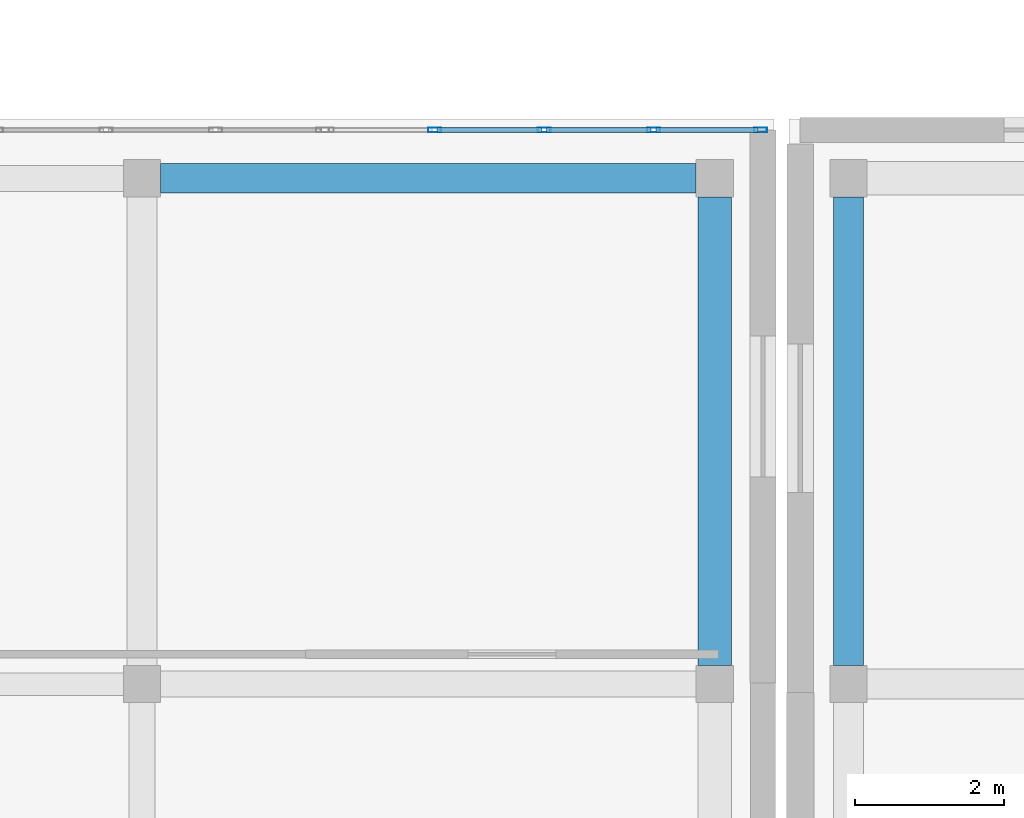
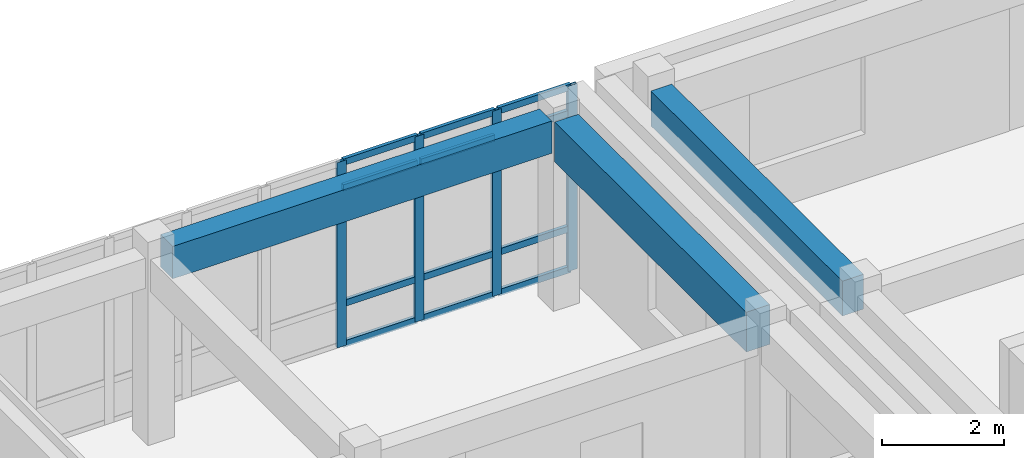
# One storey, part 30 of 91: 16 members, 3 beams, 1 element without a shape of its own.
"""IFC4 building model written with IfcOpenShell, lengths in metres."""

import ifcopenshell
import ifcopenshell.guid

model = None  # the IFC model being written
_history = None  # IfcOwnerHistory: only IFC2X3 demands one
_inside = {}  # id of a spatial element -> (the spatial element, [elements in it])
_under = {}  # id of a project, library or spatial element -> (it, [spatial elements below it])
_declared = {}  # id of a project -> (the project, [libraries it declares])
_typed = {}  # id of a type object -> (the type object, [elements of that type])
_made_of = {}  # id of a material, layer set ... -> (it, [elements and type objects made of it])


def new_model(schema):
    """Start an empty IFC model of exactly this schema.

    Asked for "IFC4X3", IfcOpenShell would pick the latest addendum, in which some entities
    have other attributes; the version numbers below select the first issue.
    IFC2X3 requires an IfcOwnerHistory on every rooted entity: one is made here for all.
    """
    global model, _history
    if schema == "IFC4X3":
        model = ifcopenshell.file(schema_version=(4, 3, 0, 0))
    else:
        model = ifcopenshell.file(schema=schema)
    _inside.clear()
    _under.clear()
    _declared.clear()
    _typed.clear()
    _made_of.clear()
    _history = None
    if model.schema == "IFC2X3":
        org = make("IfcOrganization", Name="unknown")
        user = make(
            "IfcPersonAndOrganization",
            ThePerson=make("IfcPerson", FamilyName="unknown"),
            TheOrganization=org,
        )
        app = make(
            "IfcApplication",
            ApplicationDeveloper=org,
            Version="unknown",
            ApplicationFullName="unknown",
            ApplicationIdentifier="unknown",
        )
        _history = make(
            "IfcOwnerHistory",
            OwningUser=user,
            OwningApplication=app,
            ChangeAction="ADDED",
            CreationDate=0,
        )
    return model


def make(cls, **values):
    """One entity of the class cls with the attributes given. An attribute that is None is left unset."""
    return model.create_entity(
        cls, **{name: value for name, value in values.items() if value is not None}
    )


def rooted(cls, **values):
    """An entity with a GlobalId (a new one), such as an element, a storey or a relation."""
    return make(cls, GlobalId=ifcopenshell.guid.new(), OwnerHistory=_history, **values)


def si_unit(unit_type, name, prefix=None):
    """IfcSIUnit, for example si_unit("LENGTHUNIT", "METRE", prefix="MILLI")."""
    return make("IfcSIUnit", UnitType=unit_type, Prefix=prefix, Name=name)


def assignment(units):
    """IfcUnitAssignment: the units of a project."""
    return None if units is None else make("IfcUnitAssignment", Units=units)


def point(xyz):
    """IfcCartesianPoint."""
    return None if xyz is None else make("IfcCartesianPoint", Coordinates=xyz)


def direction(xyz):
    """IfcDirection."""
    return None if xyz is None else make("IfcDirection", DirectionRatios=xyz)


def frame(location, z_axis=None, x_axis=None):
    """IfcAxis2Placement3D, a coordinate frame: its origin and axes. An axis left out is left unset."""
    return make(
        "IfcAxis2Placement3D",
        Location=point(location),
        Axis=direction(z_axis),
        RefDirection=direction(x_axis),
    )


def frame_2d(location, x_axis=None):
    """IfcAxis2Placement2D, a coordinate frame in the plane: its origin and x axis."""
    return make(
        "IfcAxis2Placement2D", Location=point(location), RefDirection=direction(x_axis)
    )


def origin():
    """The frame at (0, 0, 0) with its axes left unset."""
    return frame((0.0, 0.0, 0.0))


def origin_2d():
    """The frame at (0, 0) in the plane with its x axis left unset."""
    return frame_2d((0.0, 0.0))


def place(relative_to, where):
    """IfcLocalPlacement: puts the frame where relative to a parent placement (None: the world)."""
    return make(
        "IfcLocalPlacement", PlacementRelTo=relative_to, RelativePlacement=where
    )


def context(
    kind, dimensions, precision=None, world=None, true_north=None, identifier=None
):
    """IfcGeometricRepresentationContext, for example the 3D "Model" context."""
    return make(
        "IfcGeometricRepresentationContext",
        ContextIdentifier=identifier,
        ContextType=kind,
        CoordinateSpaceDimension=dimensions,
        Precision=precision,
        WorldCoordinateSystem=world,
        TrueNorth=true_north,
    )


def subcontext(parent, identifier, kind, view, scale=None):
    """IfcGeometricRepresentationSubContext, for example "Body" below "Model"."""
    return make(
        "IfcGeometricRepresentationSubContext",
        ContextIdentifier=identifier,
        ContextType=kind,
        ParentContext=parent,
        TargetScale=scale,
        TargetView=view,
    )


def project(units=None, contexts=None):
    """IfcProject with its units and contexts."""
    return rooted(
        "IfcProject",
        Name="project",
        RepresentationContexts=contexts,
        UnitsInContext=assignment(units),
    )


def spatial(cls, under=None, at=None, **own):
    """A site, building, storey or space (cls), placed at a placement, below another one or the project."""
    s = rooted(cls, ObjectPlacement=at, **own)
    if under is not None:
        _under.setdefault(under.id(), (under, []))[1].append(s)
    return s


def profile(cls, at=None, kind="AREA", **sizes):
    """A parametric profile (cls). Its sizes go by their IFC names, for example OverallWidth=200.0."""
    return make(cls, ProfileType=kind, Position=at, **sizes)


def rectangle(**sizes):
    """IfcRectangleProfileDef."""
    return profile("IfcRectangleProfileDef", **sizes)


def hollow_rectangle(**sizes):
    """IfcRectangleHollowProfileDef."""
    return profile("IfcRectangleHollowProfileDef", **sizes)


def extrude(swept, where, along, depth):
    """IfcExtrudedAreaSolid: the profile swept, set in the frame where, extruded along a direction by depth."""
    return make(
        "IfcExtrudedAreaSolid",
        SweptArea=swept,
        Position=where,
        ExtrudedDirection=direction(along),
        Depth=depth,
    )


def shape(context_of_items, identifier, shape_type, items):
    """IfcShapeRepresentation: the items that make up one representation, for example the "Body"."""
    return make(
        "IfcShapeRepresentation",
        ContextOfItems=context_of_items,
        RepresentationIdentifier=identifier,
        RepresentationType=shape_type,
        Items=items,
    )


def material(Name=None, Category=None):
    """IfcMaterial."""
    return make("IfcMaterial", Name=Name, Category=Category)


def layer(
    of_material, thickness, ventilated=None, Name=None, Category=None, Priority=None
):
    """IfcMaterialLayer: one layer of a wall or slab, of a material (None: an air gap)."""
    return make(
        "IfcMaterialLayer",
        Material=of_material,
        LayerThickness=thickness,
        IsVentilated=ventilated,
        Name=Name,
        Category=Category,
        Priority=Priority,
    )


def layer_set(layers, Name=None):
    """IfcMaterialLayerSet."""
    return make("IfcMaterialLayerSet", MaterialLayers=layers, LayerSetName=Name)


def material_profile(
    of_material, cross_section, Name=None, Category=None, Priority=None
):
    """IfcMaterialProfile: a cross section and its material."""
    return make(
        "IfcMaterialProfile",
        Name=Name,
        Material=of_material,
        Profile=cross_section,
        Priority=Priority,
        Category=Category,
    )


def profile_set(profiles, Name=None, composite=None):
    """IfcMaterialProfileSet."""
    return make(
        "IfcMaterialProfileSet",
        Name=Name,
        MaterialProfiles=profiles,
        CompositeProfile=composite,
    )


def made_of(thing, what):
    """Note that an element or type object is made of a material, layer set ...; save() writes the relation."""
    if what is not None:
        _made_of.setdefault(what.id(), (what, []))[1].append(thing)
    return thing


def type_object(cls, material=None, **own):
    """A type object (cls), such as IfcWallType, which elements share."""
    return made_of(rooted(cls, **own), material)


def element(
    cls,
    number,
    at=None,
    inside=None,
    cuts=None,
    type_object=None,
    material=None,
    context=None,
    identifier="Body",
    shape_type=None,
    held_by="IfcProductDefinitionShape",
    body=None,
    shapes=None,
    **own,
):
    """One element of the class cls, such as IfcWall. Its Tag is "e" and its number.

    at: its placement. inside: the storey or other place that contains it. cuts: it is an
    opening in that element (IfcRelVoidsElement). A single representation is given by context,
    identifier, shape_type and body (its items); several are given by shapes. held_by: the class
    of the entity that holds the representations. save() writes the other relations.
    """
    e = rooted(cls, Tag="e%d" % number, ObjectPlacement=at, **own)
    if body is not None:
        shapes = [shape(context, identifier, shape_type, body)]
    if shapes is not None:
        e.Representation = make(held_by, Representations=shapes)
    if inside is not None:
        _inside.setdefault(inside.id(), (inside, []))[1].append(e)
    if cuts is not None:
        rooted(
            "IfcRelVoidsElement", RelatingBuildingElement=cuts, RelatedOpeningElement=e
        )
    if type_object is not None:
        _typed.setdefault(type_object.id(), (type_object, []))[1].append(e)
    return made_of(e, material)


def aggregate(whole, parts):
    """IfcRelAggregates: a whole, such as a stair, and the parts it consists of."""
    return rooted("IfcRelAggregates", RelatingObject=whole, RelatedObjects=parts)


def save(model, path):
    """Write the relations noted so far, then the file.

    IfcRelAggregates (storeys below a building ...), IfcRelContainedInSpatialStructure (elements
    in a storey), IfcRelDefinesByType, IfcRelAssociatesMaterial and IfcRelDeclares: one each for
    every whole, place, type object, material and project.
    """
    for whole, parts in _under.values():
        aggregate(whole, parts)
    for where, things in _inside.values():
        rooted(
            "IfcRelContainedInSpatialStructure",
            RelatedElements=things,
            RelatingStructure=where,
        )
    for kind, things in _typed.values():
        rooted("IfcRelDefinesByType", RelatedObjects=things, RelatingType=kind)
    for what, things in _made_of.values():
        rooted("IfcRelAssociatesMaterial", RelatedObjects=things, RelatingMaterial=what)
    for by, libraries in _declared.values():
        rooted("IfcRelDeclares", RelatingContext=by, RelatedDefinitions=libraries)
    model.write(path)


model = new_model("IFC4")

# Units and contexts
model_context = context("Model", 3, precision=1e-05, world=origin(), true_north=direction((0.0, 1.0)))
body_context = subcontext(model_context, "Body", "Model", "MODEL_VIEW")
ifc_project = project(units=[si_unit("LENGTHUNIT", "METRE"), si_unit("AREAUNIT", "SQUARE_METRE"), si_unit("VOLUMEUNIT", "CUBIC_METRE"), si_unit("PLANEANGLEUNIT", "RADIAN"), si_unit("MASSUNIT", "GRAM", prefix="KILO")], contexts=[model_context])

# Site, building, storey
site_placement = place(None, origin())
site = spatial("IfcSite", under=ifc_project, at=site_placement, CompositionType="ELEMENT")
building_placement = place(site_placement, origin())
building = spatial("IfcBuilding", under=site, at=building_placement, Name="Valcora Specialist Clinic", CompositionType="ELEMENT")
storey_placement = place(building_placement, frame((0.0, 0.0, 13.60009765625)))
storey = spatial("IfcBuildingStorey", under=building, at=storey_placement, Name="L03", CompositionType="ELEMENT", Elevation=13.60009765625)

# Beams
ifc_material_1 = material(Name="Concrete C40/50", Category="concrete")
ifc_material_profile_1 = material_profile(ifc_material_1, rectangle(XDim=0.39990234375, YDim=0.64990234375, at=origin_2d()), Name="RC-BM-400X650")
ifc_profile_set_1 = profile_set([ifc_material_profile_1], Name="Concrete C40/50")
beam_type_1 = type_object("IfcBeamType", Name="TY-BM-RC400X650", PredefinedType="BEAM", material=ifc_profile_set_1)
beam_1_placement = place(storey_placement, frame((45.050048828125, 22.0, 3.469970703125), z_axis=(1.0, 0.0, 0.0), x_axis=(0.0, 1.0, 0.0)))
element("IfcBeam", 1, at=beam_1_placement, inside=storey, type_object=beam_type_1, Name="Beam BM-L03-1053", PredefinedType="BEAM", context=body_context, shape_type="SweptSolid", body=[
    extrude(rectangle(XDim=0.39990234375, YDim=0.64990234375, at=origin_2d()), origin(), (0.0, 0.0, 1.0), 7.199951171875),
])
ifc_material_profile_2 = material_profile(ifc_material_1, rectangle(XDim=0.39990234375, YDim=0.699951171875, at=origin_2d()), Name="RC-BM-400X700")
ifc_profile_set_2 = profile_set([ifc_material_profile_2], Name="Concrete C40/50")
beam_type_2 = type_object("IfcBeamType", Name="TY-BM-RC400X700", PredefinedType="BEAM", material=ifc_profile_set_2)
beam_2_placement = place(storey_placement, frame((54.300048828125, 15.449951171875, 3.429931640625), z_axis=(0.0, 1.0, 0.0), x_axis=(-1.0, 0.0, 0.0)))
element("IfcBeam", 2, at=beam_2_placement, inside=storey, type_object=beam_type_2, Name="Beam BM-L03-1448", PredefinedType="BEAM", context=body_context, shape_type="SweptSolid", body=[
    extrude(rectangle(XDim=0.39990234375, YDim=0.699951171875, at=origin_2d()), origin(), (0.0, 0.0, 1.0), 6.300048828125),
])
ifc_material_profile_3 = material_profile(ifc_material_1, rectangle(XDim=0.449951171875, YDim=0.800048828125, at=origin_2d()), Name="RC-BM-450X800")
ifc_profile_set_3 = profile_set([ifc_material_profile_3], Name="Concrete C40/50")
beam_type_3 = type_object("IfcBeamType", Name="TY-BM-RC450X800", PredefinedType="BEAM", material=ifc_profile_set_3)
beam_3_placement = place(storey_placement, frame((52.5, 15.449951171875, 3.39501953125), z_axis=(0.0, 1.0, 0.0), x_axis=(-1.0, 0.0, 0.0)))
element("IfcBeam", 3, at=beam_3_placement, inside=storey, type_object=beam_type_3, Name="Beam BM-L03-1072", PredefinedType="BEAM", context=body_context, shape_type="SweptSolid", body=[
    extrude(rectangle(XDim=0.449951171875, YDim=0.800048828125, at=origin_2d()), origin(), (0.0, 0.0, 1.0), 6.300048828125),
])

# Curtain wall, members
ifc_material_2 = material(Name="Anodized Bronze Aluminium 6063-T6", Category="aluminium")
ifc_layer = layer(ifc_material_2, 0.175048828125)
ifc_layer_set = layer_set([ifc_layer], Name="Anodized Bronze Aluminium 6063-T6")
curtain_wall_type = type_object("IfcCurtainWallType", Name="TY-CW-V5F15", PredefinedType="NOTDEFINED", material=ifc_layer_set)
curtain_wall_placement = place(storey_placement, origin())
curtain_wall = element("IfcCurtainWall", 4, at=curtain_wall_placement, inside=storey, type_object=curtain_wall_type, Name="Curtain wall CW-L03-163", PredefinedType="NOTDEFINED")
ifc_material_profile_4 = material_profile(ifc_material_2, hollow_rectangle(XDim=0.06494140625, YDim=0.175048828125, WallThickness=0.00390625, at=origin_2d()), Name="AL-MUL-65X175")
ifc_profile_set_4 = profile_set([ifc_material_profile_4], Name="Anodized Bronze Aluminium 6063-T6")
member_type_1 = type_object("IfcMemberType", Name="TY-CWM-65X175", PredefinedType="MULLION", material=ifc_profile_set_4)
member_1_placement = place(storey_placement, frame((48.7333984375, 22.64990234375, 0.0), z_axis=(0.0, 0.0, 1.0), x_axis=(0.0, 1.0, 0.0)))
member_1 = element("IfcMember", 5, at=member_1_placement, type_object=member_type_1, Name="CW-V5F-15 mullion 2", PredefinedType="MULLION", context=body_context, shape_type="SweptSolid", body=[
    extrude(hollow_rectangle(XDim=0.06494140625, YDim=0.175048828125, WallThickness=0.00390625, at=origin_2d()), origin(), (0.0, 0.0, 1.0), 3.719970703125),
])
member_2_placement = place(storey_placement, frame((50.20556640625, 22.64990234375, 0.0), z_axis=(0.0, 0.0, 1.0), x_axis=(0.0, 1.0, 0.0)))
member_2 = element("IfcMember", 6, at=member_2_placement, type_object=member_type_1, Name="CW-V5F-15 mullion 3", PredefinedType="MULLION", context=body_context, shape_type="SweptSolid", body=[
    extrude(hollow_rectangle(XDim=0.06494140625, YDim=0.175048828125, WallThickness=0.00390625, at=origin_2d()), origin(), (0.0, 0.0, 1.0), 3.719970703125),
])
member_3_placement = place(storey_placement, frame((51.677734375, 22.64990234375, 0.0), z_axis=(0.0, 0.0, 1.0), x_axis=(0.0, 1.0, 0.0)))
member_3 = element("IfcMember", 7, at=member_3_placement, type_object=member_type_1, Name="CW-V5F-15 mullion 4", PredefinedType="MULLION", context=body_context, shape_type="SweptSolid", body=[
    extrude(hollow_rectangle(XDim=0.06494140625, YDim=0.175048828125, WallThickness=0.00390625, at=origin_2d()), origin(), (0.0, 0.0, 1.0), 3.719970703125),
])
member_4_placement = place(storey_placement, frame((53.117431640625, 22.64990234375, 0.0), z_axis=(0.0, 0.0, 1.0), x_axis=(0.0, 1.0, 0.0)))
member_4 = element("IfcMember", 8, at=member_4_placement, type_object=member_type_1, Name="CW-V5F-15 mullion 5", PredefinedType="MULLION", context=body_context, shape_type="SweptSolid", body=[
    extrude(hollow_rectangle(XDim=0.06494140625, YDim=0.175048828125, WallThickness=0.00390625, at=origin_2d()), origin(), (0.0, 0.0, 1.0), 3.719970703125),
])
ifc_material_profile_5 = material_profile(ifc_material_2, hollow_rectangle(XDim=0.06494140625, YDim=0.1298828125, WallThickness=0.00390625, at=origin_2d()), Name="AL-TRN-65X130")
ifc_profile_set_5 = profile_set([ifc_material_profile_5], Name="Anodized Bronze Aluminium 6063-T6")
member_type_2 = type_object("IfcMemberType", Name="TY-CWT-65X130", PredefinedType="USERDEFINED", material=ifc_profile_set_5)
member_5_placement = place(storey_placement, frame((48.765869140625, 22.64990234375, 0.032470703125), z_axis=(1.0, 0.0, 0.0), x_axis=(0.0, 1.0, 0.0)))
member_5 = element("IfcMember", 9, at=member_5_placement, type_object=member_type_2, Name="CW-V5F-15 transom 2.1", ObjectType="TRANSOM", PredefinedType="USERDEFINED", context=body_context, shape_type="SweptSolid", body=[
    extrude(hollow_rectangle(XDim=0.06494140625, YDim=0.1298828125, WallThickness=0.00390625, at=origin_2d()), origin(), (0.0, 0.0, 1.0), 1.4072265625),
])
member_6_placement = place(storey_placement, frame((48.765869140625, 22.64990234375, 0.849853515625), z_axis=(1.0, 0.0, 0.0), x_axis=(0.0, 1.0, 0.0)))
member_6 = element("IfcMember", 10, at=member_6_placement, type_object=member_type_2, Name="CW-V5F-15 transom 2.2", ObjectType="TRANSOM", PredefinedType="USERDEFINED", context=body_context, shape_type="SweptSolid", body=[
    extrude(hollow_rectangle(XDim=0.06494140625, YDim=0.1298828125, WallThickness=0.00390625, at=origin_2d()), origin(), (0.0, 0.0, 1.0), 1.4072265625),
])
member_7_placement = place(storey_placement, frame((48.765869140625, 22.64990234375, 3.169921875), z_axis=(1.0, 0.0, 0.0), x_axis=(0.0, 1.0, 0.0)))
member_7 = element("IfcMember", 11, at=member_7_placement, type_object=member_type_2, Name="CW-V5F-15 transom 2.3", ObjectType="TRANSOM", PredefinedType="USERDEFINED", context=body_context, shape_type="SweptSolid", body=[
    extrude(hollow_rectangle(XDim=0.06494140625, YDim=0.1298828125, WallThickness=0.00390625, at=origin_2d()), origin(), (0.0, 0.0, 1.0), 1.4072265625),
])
member_8_placement = place(storey_placement, frame((48.765869140625, 22.64990234375, 3.6875), z_axis=(1.0, 0.0, 0.0), x_axis=(0.0, 1.0, 0.0)))
member_8 = element("IfcMember", 12, at=member_8_placement, type_object=member_type_2, Name="CW-V5F-15 transom 2.4", ObjectType="TRANSOM", PredefinedType="USERDEFINED", context=body_context, shape_type="SweptSolid", body=[
    extrude(hollow_rectangle(XDim=0.06494140625, YDim=0.1298828125, WallThickness=0.00390625, at=origin_2d()), origin(), (0.0, 0.0, 1.0), 1.4072265625),
])
member_9_placement = place(storey_placement, frame((50.238037109375, 22.64990234375, 0.032470703125), z_axis=(1.0, 0.0, 0.0), x_axis=(0.0, 1.0, 0.0)))
member_9 = element("IfcMember", 13, at=member_9_placement, type_object=member_type_2, Name="CW-V5F-15 transom 3.1", ObjectType="TRANSOM", PredefinedType="USERDEFINED", context=body_context, shape_type="SweptSolid", body=[
    extrude(hollow_rectangle(XDim=0.06494140625, YDim=0.1298828125, WallThickness=0.00390625, at=origin_2d()), origin(), (0.0, 0.0, 1.0), 1.4072265625),
])
member_10_placement = place(storey_placement, frame((50.238037109375, 22.64990234375, 0.849853515625), z_axis=(1.0, 0.0, 0.0), x_axis=(0.0, 1.0, 0.0)))
member_10 = element("IfcMember", 14, at=member_10_placement, type_object=member_type_2, Name="CW-V5F-15 transom 3.2", ObjectType="TRANSOM", PredefinedType="USERDEFINED", context=body_context, shape_type="SweptSolid", body=[
    extrude(hollow_rectangle(XDim=0.06494140625, YDim=0.1298828125, WallThickness=0.00390625, at=origin_2d()), origin(), (0.0, 0.0, 1.0), 1.4072265625),
])
member_11_placement = place(storey_placement, frame((50.238037109375, 22.64990234375, 3.169921875), z_axis=(1.0, 0.0, 0.0), x_axis=(0.0, 1.0, 0.0)))
member_11 = element("IfcMember", 15, at=member_11_placement, type_object=member_type_2, Name="CW-V5F-15 transom 3.3", ObjectType="TRANSOM", PredefinedType="USERDEFINED", context=body_context, shape_type="SweptSolid", body=[
    extrude(hollow_rectangle(XDim=0.06494140625, YDim=0.1298828125, WallThickness=0.00390625, at=origin_2d()), origin(), (0.0, 0.0, 1.0), 1.4072265625),
])
member_12_placement = place(storey_placement, frame((50.238037109375, 22.64990234375, 3.6875), z_axis=(1.0, 0.0, 0.0), x_axis=(0.0, 1.0, 0.0)))
member_12 = element("IfcMember", 16, at=member_12_placement, type_object=member_type_2, Name="CW-V5F-15 transom 3.4", ObjectType="TRANSOM", PredefinedType="USERDEFINED", context=body_context, shape_type="SweptSolid", body=[
    extrude(hollow_rectangle(XDim=0.06494140625, YDim=0.1298828125, WallThickness=0.00390625, at=origin_2d()), origin(), (0.0, 0.0, 1.0), 1.4072265625),
])
member_13_placement = place(storey_placement, frame((51.710205078125, 22.64990234375, 0.032470703125), z_axis=(1.0, 0.0, 0.0), x_axis=(0.0, 1.0, 0.0)))
member_13 = element("IfcMember", 17, at=member_13_placement, type_object=member_type_2, Name="CW-V5F-15 transom 4.1", ObjectType="TRANSOM", PredefinedType="USERDEFINED", context=body_context, shape_type="SweptSolid", body=[
    extrude(hollow_rectangle(XDim=0.06494140625, YDim=0.1298828125, WallThickness=0.00390625, at=origin_2d()), origin(), (0.0, 0.0, 1.0), 1.374755859375),
])
member_14_placement = place(storey_placement, frame((51.710205078125, 22.64990234375, 0.849853515625), z_axis=(1.0, 0.0, 0.0), x_axis=(0.0, 1.0, 0.0)))
member_14 = element("IfcMember", 18, at=member_14_placement, type_object=member_type_2, Name="CW-V5F-15 transom 4.2", ObjectType="TRANSOM", PredefinedType="USERDEFINED", context=body_context, shape_type="SweptSolid", body=[
    extrude(hollow_rectangle(XDim=0.06494140625, YDim=0.1298828125, WallThickness=0.00390625, at=origin_2d()), origin(), (0.0, 0.0, 1.0), 1.374755859375),
])
member_15_placement = place(storey_placement, frame((51.710205078125, 22.64990234375, 3.169921875), z_axis=(1.0, 0.0, 0.0), x_axis=(0.0, 1.0, 0.0)))
member_15 = element("IfcMember", 19, at=member_15_placement, type_object=member_type_2, Name="CW-V5F-15 transom 4.3", ObjectType="TRANSOM", PredefinedType="USERDEFINED", context=body_context, shape_type="SweptSolid", body=[
    extrude(hollow_rectangle(XDim=0.06494140625, YDim=0.1298828125, WallThickness=0.00390625, at=origin_2d()), origin(), (0.0, 0.0, 1.0), 1.374755859375),
])
member_16_placement = place(storey_placement, frame((51.710205078125, 22.64990234375, 3.6875), z_axis=(1.0, 0.0, 0.0), x_axis=(0.0, 1.0, 0.0)))
member_16 = element("IfcMember", 20, at=member_16_placement, type_object=member_type_2, Name="CW-V5F-15 transom 4.4", ObjectType="TRANSOM", PredefinedType="USERDEFINED", context=body_context, shape_type="SweptSolid", body=[
    extrude(hollow_rectangle(XDim=0.06494140625, YDim=0.1298828125, WallThickness=0.00390625, at=origin_2d()), origin(), (0.0, 0.0, 1.0), 1.374755859375),
])
aggregate(curtain_wall, [member_1, member_2, member_3, member_4, member_5, member_6, member_7, member_8, member_9, member_10, member_11, member_12, member_13, member_14, member_15, member_16])

save(model, "model.ifc")
